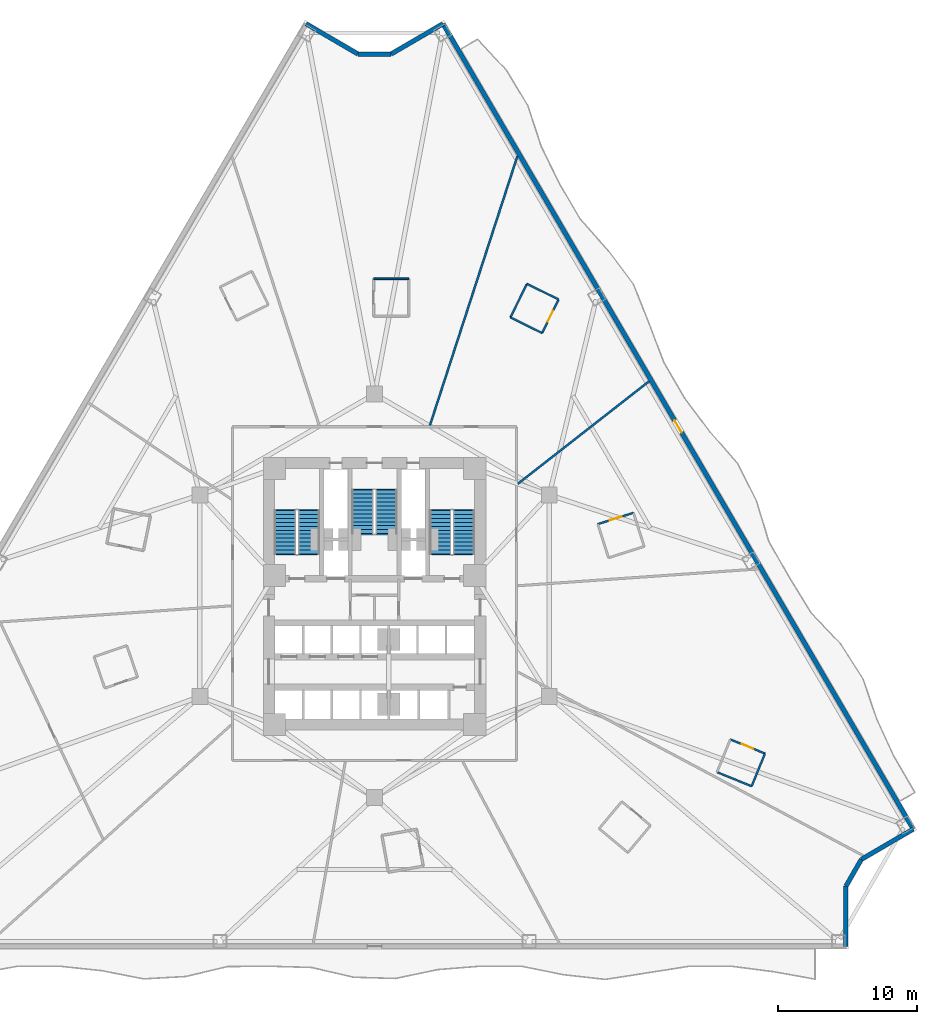
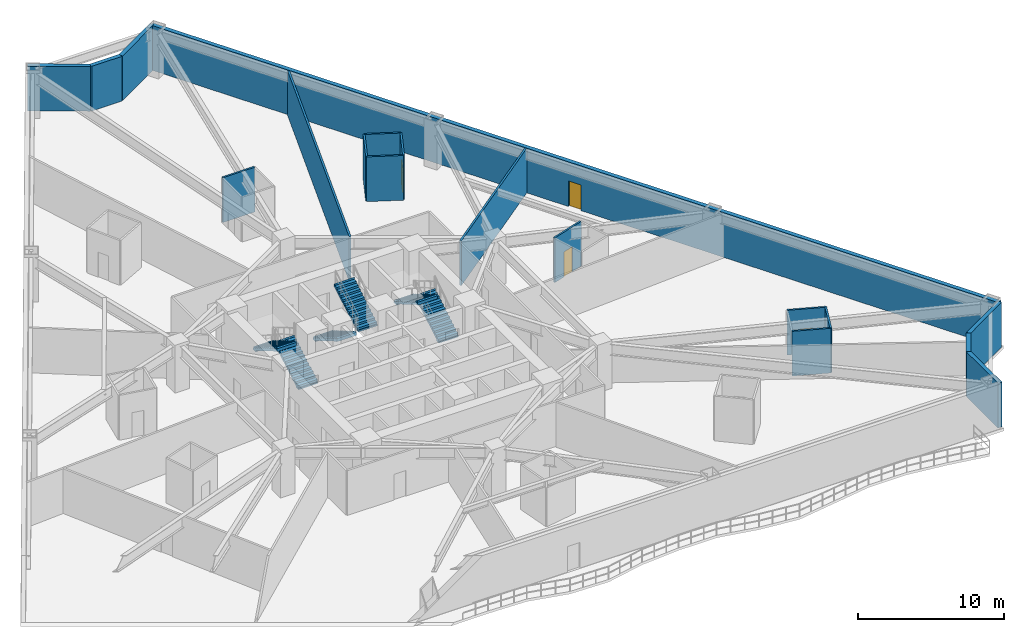
# One storey, part 7 of 10: 18 walls, 6 stair flights, 4 doors, 4 openings, 3 elements without a shape of their own.
"""IFC4 building model written with IfcOpenShell, lengths in metres."""

from ifc_helpers import new_model, si_unit, direction, frame, frame_2d, origin, place, context, subcontext, project, spatial, polyline, rectangle, outline, extrude, material, layer, layer_set, type_object, element, fill, aggregate, save


model = new_model("IFC4")

# Units and contexts
model_context = context("Model", 3, precision=1e-05, world=origin(), true_north=direction((0.0, 1.0)))
body_context = subcontext(model_context, "Body", "Model", "MODEL_VIEW")
ifc_project = project(units=[si_unit("LENGTHUNIT", "METRE"), si_unit("AREAUNIT", "SQUARE_METRE"), si_unit("VOLUMEUNIT", "CUBIC_METRE"), si_unit("PLANEANGLEUNIT", "RADIAN"), si_unit("MASSUNIT", "GRAM", prefix="KILO")], contexts=[model_context])

# Site, building, storey
site_placement = place(None, origin())
site = spatial("IfcSite", under=ifc_project, at=site_placement, CompositionType="ELEMENT")
building_placement = place(site_placement, origin())
building = spatial("IfcBuilding", under=site, at=building_placement, Name="Apsidion Concourse Tower", CompositionType="ELEMENT")
storey_placement = place(building_placement, frame((0.0, 0.0, 38.39990234375)))
storey = spatial("IfcBuildingStorey", under=building, at=storey_placement, Name="L07", CompositionType="ELEMENT", Elevation=38.39990234375)

# Wall, opening, door
ifc_material_1 = material(Name="Precast concrete C40/50", Category="concrete")
ifc_layer_1 = layer(ifc_material_1, 0.320068359375)
ifc_layer_set_1 = layer_set([ifc_layer_1], Name="Precast concrete C40/50")
wall_type_1 = type_object("IfcWallType", Name="WL-EXT-320", PredefinedType="STANDARD", material=ifc_layer_set_1)
wall_1_placement = place(storey_placement, frame((4.9228515625, 41.121826171875, 0.0), z_axis=(0.0, 0.0, 1.0), x_axis=(0.504213113214, -0.863579258935, 0.0)))
wall_1 = element("IfcWall", 1, at=wall_1_placement, inside=storey, type_object=wall_type_1, Name="L07 Precast Stone Facade Wall 01", PredefinedType="STANDARD", context=body_context, shape_type="SweptSolid", body=[
    extrude(rectangle(XDim=67.041015625, YDim=0.320068359375, at=frame_2d((33.5205078125, 0.0))), origin(), (0.0, 0.0, 1.0), 3.75),
])
opening_1_placement = place(wall_1_placement, frame((33.0205078125, 0.0, 0.0)))
opening_1 = element("IfcOpeningElement", 2, at=opening_1_placement, cuts=wall_1, Name="Opening D-T1L", PredefinedType="OPENING", context=body_context, shape_type="SweptSolid", body=[
    extrude(rectangle(XDim=1.0, YDim=2.14990234375, at=frame_2d((0.5, 1.074951171875))), frame((0.0, 0.169921875, 0.0), z_axis=(0.0, -1.0, 0.0), x_axis=(1.0, 0.0, 0.0)), (0.0, 0.0, 1.0), 0.340087890625),
])
ifc_material_2 = material(Name="Anodised aluminium EN AW-6063 T6", Category="aluminium")
door_type_1 = type_object("IfcDoorType", Name="DR-TER-1022L", OperationType="SINGLE_SWING_LEFT", PredefinedType="DOOR", material=ifc_material_2)
door_1_placement = place(opening_1_placement, origin())
door_1 = element("IfcDoor", 3, at=door_1_placement, inside=storey, type_object=door_type_1, Name="L07 Balcony Access Door 2", OperationType="SINGLE_SWING_LEFT", OverallHeight=2.14990234375, OverallWidth=1.0, PredefinedType="DOOR", context=body_context, shape_type="SweptSolid", body=[
    extrude(rectangle(XDim=1.0, YDim=2.14990234375, at=frame_2d((0.5, 1.074951171875))), frame((0.0, 0.02490234375, 0.0), z_axis=(0.0, -1.0, 0.0), x_axis=(1.0, 0.0, 0.0)), (0.0, 0.0, 1.0), 0.050048828125),
])
fill(opening_1, door_1)

# Walls
wall_2_placement = place(storey_placement, frame((38.725830078125, -16.7734375, 0.0), z_axis=(0.0, 0.0, 1.0), x_axis=(-0.863569936823, -0.504229079105, 0.0)))
element("IfcWall", 4, at=wall_2_placement, inside=storey, type_object=wall_type_1, Name="L07 Precast Stone Facade Wall 02", PredefinedType="STANDARD", context=body_context, shape_type="SweptSolid", body=[
    extrude(rectangle(XDim=4.32373046875, YDim=0.320068359375, at=frame_2d((2.161865234375, 0.0))), origin(), (0.0, 0.0, 1.0), 3.75),
])
wall_3_placement = place(storey_placement, frame((34.991943359375, -18.95361328125, 0.0), z_axis=(0.0, 0.0, 1.0), x_axis=(-0.497881323344, -0.867245171717, 0.0)))
element("IfcWall", 5, at=wall_3_placement, inside=storey, type_object=wall_type_1, Name="L07 Precast Stone Facade Wall 03", PredefinedType="STANDARD", context=body_context, shape_type="SweptSolid", body=[
    extrude(rectangle(XDim=2.216796875, YDim=0.320068359375, at=frame_2d((1.1083984375, 0.0))), origin(), (0.0, 0.0, 1.0), 3.75),
])
wall_4_placement = place(storey_placement, frame((33.88818359375, -20.876220703125, 0.0), z_axis=(0.0, 0.0, 1.0), x_axis=(0.0, -1.0, 0.0)))
element("IfcWall", 6, at=wall_4_placement, inside=storey, type_object=wall_type_1, Name="L07 Precast Stone Facade Wall 04", PredefinedType="STANDARD", context=body_context, shape_type="SweptSolid", body=[
    extrude(rectangle(XDim=4.32373046875, YDim=0.320068359375, at=frame_2d((2.161865234375, 0.0))), origin(), (0.0, 0.0, 1.0), 3.75),
])
wall_5_placement = place(storey_placement, frame((-4.9228515625, 41.121826171875, 0.0), z_axis=(0.0, 0.0, 1.0), x_axis=(0.863588414101, -0.50419743259, 0.0)))
element("IfcWall", 7, at=wall_5_placement, inside=storey, type_object=wall_type_1, Name="L07 Precast Stone Facade Wall 10", PredefinedType="STANDARD", context=body_context, shape_type="SweptSolid", body=[
    extrude(rectangle(XDim=4.324462890625, YDim=0.320068359375, at=frame_2d((2.162109375, 0.0))), origin(), (0.0, 0.0, 1.0), 3.75),
])
wall_6_placement = place(storey_placement, frame((-1.188232421875, 38.94140625, 0.0), z_axis=(0.0, 0.0, 1.0), x_axis=(1.0, 0.0, 0.0)))
element("IfcWall", 8, at=wall_6_placement, inside=storey, type_object=wall_type_1, Name="L07 Precast Stone Facade Wall 11", PredefinedType="STANDARD", context=body_context, shape_type="SweptSolid", body=[
    extrude(rectangle(XDim=2.37646484375, YDim=0.320068359375, at=frame_2d((1.188232421875, 0.0))), origin(), (0.0, 0.0, 1.0), 3.75),
])
wall_7_placement = place(storey_placement, frame((1.188232421875, 38.94140625, 0.0), z_axis=(0.0, 0.0, 1.0), x_axis=(0.863588414101, 0.50419743259, 0.0)))
element("IfcWall", 9, at=wall_7_placement, inside=storey, type_object=wall_type_1, Name="L07 Precast Stone Facade Wall 12", PredefinedType="STANDARD", context=body_context, shape_type="SweptSolid", body=[
    extrude(rectangle(XDim=4.324462890625, YDim=0.320068359375, at=frame_2d((2.162109375, 0.0))), origin(), (0.0, 0.0, 1.0), 3.75),
])
ifc_material_3 = material(Name="Gypsum plasterboard partition")
ifc_layer_2 = layer(ifc_material_3, 0.139892578125)
ifc_layer_set_2 = layer_set([ifc_layer_2], Name="Gypsum plasterboard partition")
wall_type_2 = type_object("IfcWallType", Name="WL-INT-PAR-140", PredefinedType="PARTITIONING", material=ifc_layer_set_2)
wall_8_placement = place(storey_placement, frame((24.6201171875, -12.68212890625, 0.0), z_axis=(0.0, 0.0, 1.0), x_axis=(0.926542709205, -0.376189590524, 0.0)))
element("IfcWall", 10, at=wall_8_placement, inside=storey, type_object=wall_type_2, Name="L07 Interior Partition WL-L07-POD-ENS04-S1", PredefinedType="PARTITIONING", context=body_context, shape_type="SweptSolid", body=[
    extrude(rectangle(XDim=2.68994140625, YDim=0.139892578125, at=frame_2d((1.344970703125, 0.0))), origin(), (0.0, 0.0, 1.0), 3.75),
])
wall_9_placement = place(storey_placement, frame((27.112548828125, -13.694091796875, 0.0), z_axis=(0.0, 0.0, 1.0), x_axis=(0.376224921193, 0.926528363664, 0.0)))
element("IfcWall", 11, at=wall_9_placement, inside=storey, type_object=wall_type_2, Name="L07 Interior Partition WL-L07-POD-ENS04-S2", PredefinedType="PARTITIONING", context=body_context, shape_type="SweptSolid", body=[
    extrude(rectangle(XDim=2.539794921875, YDim=0.139892578125, at=frame_2d((1.27001953125, 0.0))), origin(), (0.0, 0.0, 1.0), 3.75),
])

# Wall, opening, door
wall_10_placement = place(storey_placement, frame((28.068115234375, -11.3408203125, 0.0), z_axis=(0.0, 0.0, 1.0), x_axis=(-0.926542709205, 0.376189590524, 0.0)))
wall_10 = element("IfcWall", 12, at=wall_10_placement, inside=storey, type_object=wall_type_2, Name="L07 Interior Partition WL-L07-POD-ENS04-S3", PredefinedType="PARTITIONING", context=body_context, shape_type="SweptSolid", body=[
    extrude(rectangle(XDim=2.68994140625, YDim=0.139892578125, at=frame_2d((1.344970703125, 0.0))), origin(), (0.0, 0.0, 1.0), 3.75),
])
opening_2_placement = place(wall_10_placement, frame((0.905029296875, 0.0, 0.0)))
opening_2 = element("IfcOpeningElement", 13, at=opening_2_placement, cuts=wall_10, Name="Opening D-03L", PredefinedType="OPENING", context=body_context, shape_type="SweptSolid", body=[
    extrude(rectangle(XDim=0.8798828125, YDim=2.10009765625, at=frame_2d((0.43994140625, 1.050048828125))), frame((0.0, 0.080078125, 0.0), z_axis=(0.0, -1.0, 0.0), x_axis=(1.0, 0.0, 0.0)), (0.0, 0.0, 1.0), 0.159912109375),
])
door_type_2 = type_object("IfcDoorType", Name="DR-INT-D03L", OperationType="SINGLE_SWING_LEFT", PredefinedType="DOOR", material=ifc_material_2)
door_2_placement = place(opening_2_placement, origin())
door_2 = element("IfcDoor", 14, at=door_2_placement, inside=storey, type_object=door_type_2, Name="L07 Guest En-Suite Bathroom Door ENS04", OperationType="SINGLE_SWING_LEFT", OverallHeight=2.10009765625, OverallWidth=0.8798828125, PredefinedType="DOOR", context=body_context, shape_type="SweptSolid", body=[
    extrude(rectangle(XDim=0.8798828125, YDim=2.10009765625, at=frame_2d((0.43994140625, 1.050048828125))), frame((0.0, 0.02490234375, 0.0), z_axis=(0.0, -1.0, 0.0), x_axis=(1.0, 0.0, 0.0)), (0.0, 0.0, 1.0), 0.050048828125),
])
fill(opening_2, door_2)

wall_11_placement = place(storey_placement, frame((18.617919921875, 5.96533203125, 0.0), z_axis=(0.0, 0.0, 1.0), x_axis=(-0.953184072296, -0.302390681604, 0.0)))
wall_11 = element("IfcWall", 15, at=wall_11_placement, inside=storey, type_object=wall_type_2, Name="L07 Interior Partition WL-L07-POD-ENS05-S3", PredefinedType="PARTITIONING", context=body_context, shape_type="SweptSolid", body=[
    extrude(rectangle(XDim=2.690185546875, YDim=0.139892578125, at=frame_2d((1.34521484375, 0.0))), origin(), (0.0, 0.0, 1.0), 3.75),
])
opening_3_placement = place(wall_11_placement, frame((0.905029296875, 0.0, 0.0)))
opening_3 = element("IfcOpeningElement", 16, at=opening_3_placement, cuts=wall_11, Name="Opening D-03R", PredefinedType="OPENING", context=body_context, shape_type="SweptSolid", body=[
    extrude(rectangle(XDim=0.8798828125, YDim=2.10009765625, at=frame_2d((0.43994140625, 1.050048828125))), frame((0.0, 0.080078125, 0.0), z_axis=(0.0, -1.0, 0.0), x_axis=(1.0, 0.0, 0.0)), (0.0, 0.0, 1.0), 0.159912109375),
])
door_type_3 = type_object("IfcDoorType", Name="DR-INT-D03R", OperationType="SINGLE_SWING_RIGHT", PredefinedType="DOOR", material=ifc_material_2)
door_3_placement = place(opening_3_placement, origin())
door_3 = element("IfcDoor", 17, at=door_3_placement, inside=storey, type_object=door_type_3, Name="L07 Guest En-Suite Bathroom Door ENS05", OperationType="SINGLE_SWING_RIGHT", OverallHeight=2.10009765625, OverallWidth=0.8798828125, PredefinedType="DOOR", context=body_context, shape_type="SweptSolid", body=[
    extrude(rectangle(XDim=0.8798828125, YDim=2.10009765625, at=frame_2d((0.43994140625, 1.050048828125))), frame((0.0, 0.02490234375, 0.0), z_axis=(0.0, -1.0, 0.0), x_axis=(1.0, 0.0, 0.0)), (0.0, 0.0, 1.0), 0.050048828125),
])
fill(opening_3, door_3)

wall_12_placement = place(storey_placement, frame((12.04638671875, 18.889892578125, 0.0), z_axis=(0.0, 0.0, 1.0), x_axis=(0.441505331812, 0.897258626028, 0.0)))
wall_12 = element("IfcWall", 18, at=wall_12_placement, inside=storey, type_object=wall_type_2, Name="L07 Interior Partition WL-L07-POD-ENS06-S1", PredefinedType="PARTITIONING", context=body_context, shape_type="SweptSolid", body=[
    extrude(rectangle(XDim=2.690185546875, YDim=0.139892578125, at=frame_2d((1.34521484375, 0.0))), origin(), (0.0, 0.0, 1.0), 3.75),
])
opening_4_placement = place(wall_12_placement, frame((0.905029296875, 0.0, 0.0)))
opening_4 = element("IfcOpeningElement", 19, at=opening_4_placement, cuts=wall_12, Name="Opening D-03L", PredefinedType="OPENING", context=body_context, shape_type="SweptSolid", body=[
    extrude(rectangle(XDim=0.8798828125, YDim=2.10009765625, at=frame_2d((0.43994140625, 1.050048828125))), frame((0.0, 0.080078125, 0.0), z_axis=(0.0, -1.0, 0.0), x_axis=(1.0, 0.0, 0.0)), (0.0, 0.0, 1.0), 0.159912109375),
])
door_4_placement = place(opening_4_placement, origin())
door_4 = element("IfcDoor", 20, at=door_4_placement, inside=storey, type_object=door_type_2, Name="L07 Guest En-Suite Bathroom Door ENS06", OperationType="SINGLE_SWING_LEFT", OverallHeight=2.10009765625, OverallWidth=0.8798828125, PredefinedType="DOOR", context=body_context, shape_type="SweptSolid", body=[
    extrude(rectangle(XDim=0.8798828125, YDim=2.10009765625, at=frame_2d((0.43994140625, 1.050048828125))), frame((0.0, 0.02490234375, 0.0), z_axis=(0.0, -1.0, 0.0), x_axis=(1.0, 0.0, 0.0)), (0.0, 0.0, 1.0), 0.050048828125),
])
fill(opening_4, door_4)

# Walls
wall_13_placement = place(storey_placement, frame((13.234130859375, 21.3037109375, 0.0), z_axis=(0.0, 0.0, 1.0), x_axis=(-0.897273198593, 0.441475715173, 0.0)))
element("IfcWall", 21, at=wall_13_placement, inside=storey, type_object=wall_type_2, Name="L07 Interior Partition WL-L07-POD-ENS06-S2", PredefinedType="PARTITIONING", context=body_context, shape_type="SweptSolid", body=[
    extrude(rectangle(XDim=2.5400390625, YDim=0.139892578125, at=frame_2d((1.27001953125, 0.0))), origin(), (0.0, 0.0, 1.0), 3.75),
])
wall_14_placement = place(storey_placement, frame((10.955078125, 22.425048828125, 0.0), z_axis=(0.0, 0.0, 1.0), x_axis=(-0.441541285032, -0.897240933982, 0.0)))
element("IfcWall", 22, at=wall_14_placement, inside=storey, type_object=wall_type_2, Name="L07 Interior Partition WL-L07-POD-ENS06-S3", PredefinedType="PARTITIONING", context=body_context, shape_type="SweptSolid", body=[
    extrude(rectangle(XDim=2.68994140625, YDim=0.139892578125, at=frame_2d((1.344970703125, 0.0))), origin(), (0.0, 0.0, 1.0), 3.75),
])
for number, where, z_axis, x_axis, name in (
    (23, (9.767333984375, 20.011474609375, 0.0), (0.0, 0.0, 1.0), (0.897235121698, -0.441553095777, 0.0), "L07 Interior Partition WL-L07-POD-ENS06-S4"),
    (24, (2.469970703125, 22.793701171875, 0.0), (0.0, 0.0, 1.0), (-1.0, 0.0, 0.0), "L07 Interior Partition WL-L07-POD-ENS07-S2"),
):
    element("IfcWall", number, at=place(storey_placement, frame(where, z_axis=z_axis, x_axis=x_axis)), inside=storey, type_object=wall_type_2, Name=name, PredefinedType="PARTITIONING", context=body_context, shape_type="SweptSolid", body=[
        extrude(rectangle(XDim=2.5400390625, YDim=0.139892578125, at=frame_2d((1.27001953125, 0.0))), origin(), (0.0, 0.0, 1.0), 3.75),
    ])
ifc_layer_3 = layer(ifc_material_3, 0.14990234375)
ifc_layer_set_3 = layer_set([ifc_layer_3], Name="Gypsum plasterboard partition")
wall_type_3 = type_object("IfcWallType", Name="WL-INT-PAR-150", PredefinedType="PARTITIONING", material=ifc_layer_set_3)
wall_15_placement = place(storey_placement, frame((10.304931640625, 8.051025390625, 0.0), z_axis=(0.0, 0.0, 1.0), x_axis=(0.788008281042, 0.615664640051, 0.0)))
element("IfcWall", 25, at=wall_15_placement, inside=storey, type_object=wall_type_3, Name="L07 Interior Partition WL-L07-RAD-02-1", PredefinedType="PARTITIONING", context=body_context, shape_type="SweptSolid", body=[
    extrude(rectangle(XDim=11.960205078125, YDim=0.14990234375, at=frame_2d((5.97998046875, 0.0))), origin(), (0.0, 0.0, 1.0), 3.75),
])
wall_16_placement = place(storey_placement, frame((3.98193359375, 12.2548828125, 0.0), z_axis=(0.0, 0.0, 1.0), x_axis=(0.309011216684, 0.951058393561, 0.0)))
element("IfcWall", 26, at=wall_16_placement, inside=storey, type_object=wall_type_3, Name="L07 Interior Partition WL-L07-RAD-03-1", PredefinedType="PARTITIONING", context=body_context, shape_type="SweptSolid", body=[
    extrude(rectangle(XDim=20.3544921875, YDim=0.14990234375, at=frame_2d((10.17724609375, 0.0))), origin(), (0.0, 0.0, 1.0), 3.75),
])

# Stair, stair flights
stair_type = type_object("IfcStairType", Name="ST-DL-1550", PredefinedType="HALF_TURN_STAIR", material=ifc_material_1)
stair_1_placement = place(storey_placement, origin())
stair_1 = element("IfcStair", 27, at=stair_1_placement, inside=storey, type_object=stair_type, Name="L07 Protected Core Exit Stair ST1", PredefinedType="HALF_TURN_STAIR")
stair_flight_type = type_object("IfcStairFlightType", Name="SFL-RC-1550", PredefinedType="STRAIGHT", material=ifc_material_1)
stair_flight_1_placement = place(storey_placement, frame((-4.72509765625, 3.0, 0.0), z_axis=(0.0, 0.0, 1.0), x_axis=(0.0, 1.0, 0.0)))
stair_flight_1 = element("IfcStairFlight", 28, at=stair_flight_1_placement, type_object=stair_flight_type, Name="ST1 flight 1", NumberOfRisers=12, NumberOfTreads=11, PredefinedType="STRAIGHT", RiserHeight=0.166666667, TreadLength=0.285, context=body_context, shape_type="SweptSolid", body=[
    extrude(outline(polyline([(-0.080078125, -0.1123046875), (-0.080078125, 0.0), (0.0, 0.0), (0.0, 0.166748046875), (0.284912109375, 0.166748046875), (0.284912109375, 0.333251953125), (0.570068359375, 0.333251953125), (0.570068359375, 0.5), (0.85498046875, 0.5), (0.85498046875, 0.666748046875), (1.139892578125, 0.666748046875), (1.139892578125, 0.833251953125), (1.425048828125, 0.833251953125), (1.425048828125, 1.0), (1.7099609375, 1.0), (1.7099609375, 1.166748046875), (1.9951171875, 1.166748046875), (1.9951171875, 1.333251953125), (2.280029296875, 1.333251953125), (2.280029296875, 1.5), (2.56494140625, 1.5), (2.56494140625, 1.666748046875), (2.85009765625, 1.666748046875), (2.85009765625, 1.833251953125), (3.135009765625, 1.833251953125), (3.135009765625, 2.0), (3.215087890625, 1.916748046875), (3.215087890625, 1.65966796875), (3.135009765625, 1.65966796875), (0.296875, 0.0), (0.296875, -0.1123046875), (-0.080078125, -0.1123046875)])), frame((0.0, 0.77490234375, 0.0), z_axis=(0.0, -1.0, 0.0), x_axis=(1.0, 0.0, 0.0)), (0.0, 0.0, 1.0), 1.550048828125),
])
stair_flight_2_placement = place(storey_placement, frame((-6.425048828125, 6.135009765625, 2.0), z_axis=(0.0, 0.0, 1.0), x_axis=(0.0, -1.0, 0.0)))
stair_flight_2 = element("IfcStairFlight", 29, at=stair_flight_2_placement, type_object=stair_flight_type, Name="ST1 flight 2", NumberOfRisers=12, NumberOfTreads=11, PredefinedType="STRAIGHT", RiserHeight=0.166666667, TreadLength=0.285, context=body_context, shape_type="SweptSolid", body=[
    extrude(outline(polyline([(-0.080078125, -0.1123046875), (-0.080078125, 0.0), (0.0, 0.0), (0.0, 0.166748046875), (0.284912109375, 0.166748046875), (0.284912109375, 0.333251953125), (0.570068359375, 0.333251953125), (0.570068359375, 0.5), (0.85498046875, 0.5), (0.85498046875, 0.666748046875), (1.139892578125, 0.666748046875), (1.139892578125, 0.833251953125), (1.425048828125, 0.833251953125), (1.425048828125, 1.0), (1.7099609375, 1.0), (1.7099609375, 1.166748046875), (1.9951171875, 1.166748046875), (1.9951171875, 1.333251953125), (2.280029296875, 1.333251953125), (2.280029296875, 1.5), (2.56494140625, 1.5), (2.56494140625, 1.666748046875), (2.85009765625, 1.666748046875), (2.85009765625, 1.833251953125), (3.135009765625, 1.833251953125), (3.135009765625, 2.0), (3.215087890625, 1.916748046875), (3.215087890625, 1.65966796875), (3.135009765625, 1.65966796875), (0.296875, 0.0), (0.296875, -0.1123046875), (-0.080078125, -0.1123046875)])), frame((0.0, 0.77490234375, 0.0), z_axis=(0.0, -1.0, 0.0), x_axis=(1.0, 0.0, 0.0)), (0.0, 0.0, 1.0), 1.550048828125),
])
aggregate(stair_1, [stair_flight_1, stair_flight_2])

stair_2_placement = place(storey_placement, origin())
stair_2 = element("IfcStair", 30, at=stair_2_placement, inside=storey, type_object=stair_type, Name="L07 Protected Core Exit Stair ST2", PredefinedType="HALF_TURN_STAIR")
stair_flight_3_placement = place(storey_placement, frame((6.425048828125, 3.0, 0.0), z_axis=(0.0, 0.0, 1.0), x_axis=(0.0, 1.0, 0.0)))
stair_flight_3 = element("IfcStairFlight", 31, at=stair_flight_3_placement, type_object=stair_flight_type, Name="ST2 flight 1", NumberOfRisers=12, NumberOfTreads=11, PredefinedType="STRAIGHT", RiserHeight=0.166666667, TreadLength=0.285, context=body_context, shape_type="SweptSolid", body=[
    extrude(outline(polyline([(-0.080078125, -0.1123046875), (-0.080078125, 0.0), (0.0, 0.0), (0.0, 0.166748046875), (0.284912109375, 0.166748046875), (0.284912109375, 0.333251953125), (0.570068359375, 0.333251953125), (0.570068359375, 0.5), (0.85498046875, 0.5), (0.85498046875, 0.666748046875), (1.139892578125, 0.666748046875), (1.139892578125, 0.833251953125), (1.425048828125, 0.833251953125), (1.425048828125, 1.0), (1.7099609375, 1.0), (1.7099609375, 1.166748046875), (1.9951171875, 1.166748046875), (1.9951171875, 1.333251953125), (2.280029296875, 1.333251953125), (2.280029296875, 1.5), (2.56494140625, 1.5), (2.56494140625, 1.666748046875), (2.85009765625, 1.666748046875), (2.85009765625, 1.833251953125), (3.135009765625, 1.833251953125), (3.135009765625, 2.0), (3.215087890625, 1.916748046875), (3.215087890625, 1.65966796875), (3.135009765625, 1.65966796875), (0.296875, 0.0), (0.296875, -0.1123046875), (-0.080078125, -0.1123046875)])), frame((0.0, 0.77490234375, 0.0), z_axis=(0.0, -1.0, 0.0), x_axis=(1.0, 0.0, 0.0)), (0.0, 0.0, 1.0), 1.550048828125),
])
stair_flight_4_placement = place(storey_placement, frame((4.72509765625, 6.135009765625, 2.0), z_axis=(0.0, 0.0, 1.0), x_axis=(0.0, -1.0, 0.0)))
stair_flight_4 = element("IfcStairFlight", 32, at=stair_flight_4_placement, type_object=stair_flight_type, Name="ST2 flight 2", NumberOfRisers=12, NumberOfTreads=11, PredefinedType="STRAIGHT", RiserHeight=0.166666667, TreadLength=0.285, context=body_context, shape_type="SweptSolid", body=[
    extrude(outline(polyline([(-0.080078125, -0.1123046875), (-0.080078125, 0.0), (0.0, 0.0), (0.0, 0.166748046875), (0.284912109375, 0.166748046875), (0.284912109375, 0.333251953125), (0.570068359375, 0.333251953125), (0.570068359375, 0.5), (0.85498046875, 0.5), (0.85498046875, 0.666748046875), (1.139892578125, 0.666748046875), (1.139892578125, 0.833251953125), (1.425048828125, 0.833251953125), (1.425048828125, 1.0), (1.7099609375, 1.0), (1.7099609375, 1.166748046875), (1.9951171875, 1.166748046875), (1.9951171875, 1.333251953125), (2.280029296875, 1.333251953125), (2.280029296875, 1.5), (2.56494140625, 1.5), (2.56494140625, 1.666748046875), (2.85009765625, 1.666748046875), (2.85009765625, 1.833251953125), (3.135009765625, 1.833251953125), (3.135009765625, 2.0), (3.215087890625, 1.916748046875), (3.215087890625, 1.65966796875), (3.135009765625, 1.65966796875), (0.296875, 0.0), (0.296875, -0.1123046875), (-0.080078125, -0.1123046875)])), frame((0.0, 0.77490234375, 0.0), z_axis=(0.0, -1.0, 0.0), x_axis=(1.0, 0.0, 0.0)), (0.0, 0.0, 1.0), 1.550048828125),
])
aggregate(stair_2, [stair_flight_3, stair_flight_4])

stair_3_placement = place(storey_placement, origin())
stair_3 = element("IfcStair", 33, at=stair_3_placement, inside=storey, type_object=stair_type, Name="L07 Protected Core Exit Stair ST3", PredefinedType="HALF_TURN_STAIR")
stair_flight_5_placement = place(storey_placement, frame((-0.85009765625, 7.60009765625, 0.0), z_axis=(0.0, 0.0, 1.0), x_axis=(0.0, -1.0, 0.0)))
stair_flight_5 = element("IfcStairFlight", 34, at=stair_flight_5_placement, type_object=stair_flight_type, Name="ST3 flight 1", NumberOfRisers=12, NumberOfTreads=11, PredefinedType="STRAIGHT", RiserHeight=0.166666667, TreadLength=0.285, context=body_context, shape_type="SweptSolid", body=[
    extrude(outline(polyline([(-0.080078125, -0.1123046875), (-0.080078125, 0.0), (0.0, 0.0), (0.0, 0.166748046875), (0.284912109375, 0.166748046875), (0.284912109375, 0.333251953125), (0.570068359375, 0.333251953125), (0.570068359375, 0.5), (0.85498046875, 0.5), (0.85498046875, 0.666748046875), (1.139892578125, 0.666748046875), (1.139892578125, 0.833251953125), (1.425048828125, 0.833251953125), (1.425048828125, 1.0), (1.7099609375, 1.0), (1.7099609375, 1.166748046875), (1.9951171875, 1.166748046875), (1.9951171875, 1.333251953125), (2.280029296875, 1.333251953125), (2.280029296875, 1.5), (2.56494140625, 1.5), (2.56494140625, 1.666748046875), (2.85009765625, 1.666748046875), (2.85009765625, 1.833251953125), (3.135009765625, 1.833251953125), (3.135009765625, 2.0), (3.215087890625, 1.916748046875), (3.215087890625, 1.65966796875), (3.135009765625, 1.65966796875), (0.296875, 0.0), (0.296875, -0.1123046875), (-0.080078125, -0.1123046875)])), frame((0.0, 0.77490234375, 0.0), z_axis=(0.0, -1.0, 0.0), x_axis=(1.0, 0.0, 0.0)), (0.0, 0.0, 1.0), 1.550048828125),
])
stair_flight_6_placement = place(storey_placement, frame((0.85009765625, 4.465087890625, 2.0), z_axis=(0.0, 0.0, 1.0), x_axis=(0.0, 1.0, 0.0)))
stair_flight_6 = element("IfcStairFlight", 35, at=stair_flight_6_placement, type_object=stair_flight_type, Name="ST3 flight 2", NumberOfRisers=12, NumberOfTreads=11, PredefinedType="STRAIGHT", RiserHeight=0.166666667, TreadLength=0.285, context=body_context, shape_type="SweptSolid", body=[
    extrude(outline(polyline([(-0.080078125, -0.1123046875), (-0.080078125, 0.0), (0.0, 0.0), (0.0, 0.166748046875), (0.284912109375, 0.166748046875), (0.284912109375, 0.333251953125), (0.570068359375, 0.333251953125), (0.570068359375, 0.5), (0.85498046875, 0.5), (0.85498046875, 0.666748046875), (1.139892578125, 0.666748046875), (1.139892578125, 0.833251953125), (1.425048828125, 0.833251953125), (1.425048828125, 1.0), (1.7099609375, 1.0), (1.7099609375, 1.166748046875), (1.9951171875, 1.166748046875), (1.9951171875, 1.333251953125), (2.280029296875, 1.333251953125), (2.280029296875, 1.5), (2.56494140625, 1.5), (2.56494140625, 1.666748046875), (2.85009765625, 1.666748046875), (2.85009765625, 1.833251953125), (3.135009765625, 1.833251953125), (3.135009765625, 2.0), (3.215087890625, 1.916748046875), (3.215087890625, 1.65966796875), (3.135009765625, 1.65966796875), (0.296875, 0.0), (0.296875, -0.1123046875), (-0.080078125, -0.1123046875)])), frame((0.0, 0.77490234375, 0.0), z_axis=(0.0, -1.0, 0.0), x_axis=(1.0, 0.0, 0.0)), (0.0, 0.0, 1.0), 1.550048828125),
])
aggregate(stair_3, [stair_flight_5, stair_flight_6])

save(model, "model.ifc")
